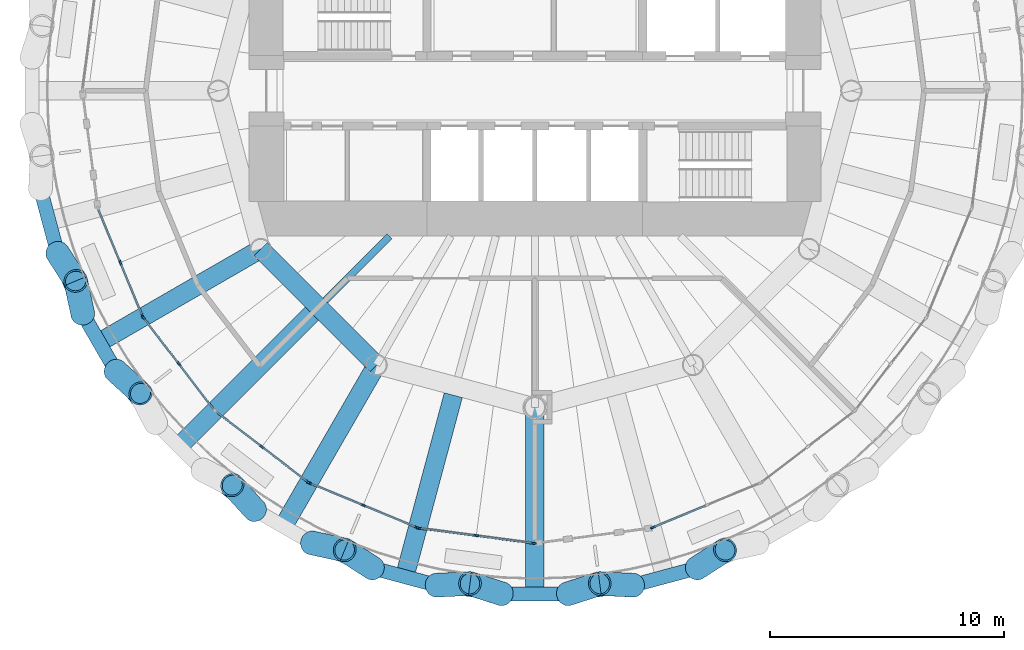
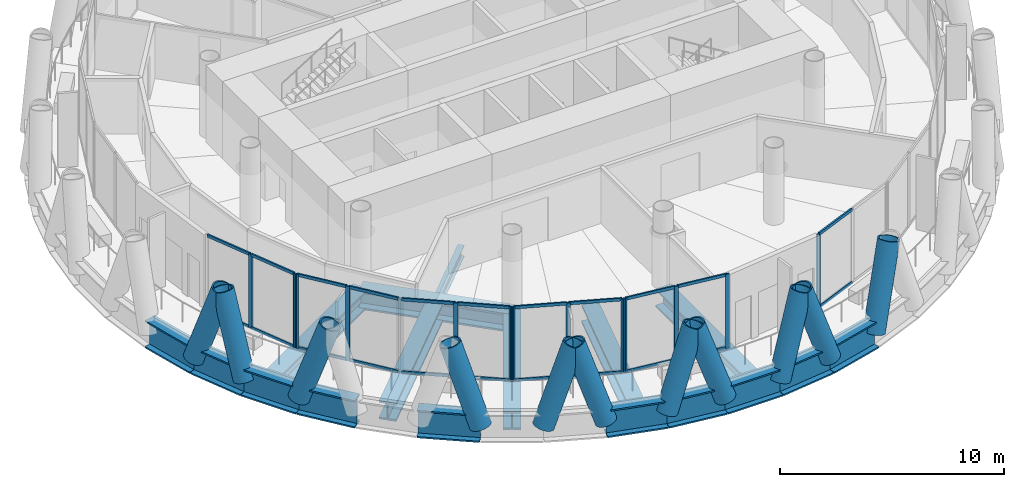
# One storey, part 2 of 15: 46 members, 17 beams, 6 elements without a shape of their own.
"""IFC4 building model written with IfcOpenShell, lengths in metres."""

from ifc_helpers import new_model, si_unit, direction, frame, origin, origin_2d, place, context, subcontext, project, spatial, rectangle, hollow_circle, i_section, extrude, material, material_profile, profile_set, type_object, element, aggregate, save


model = new_model("IFC4")

# Units and contexts
model_context = context("Model", 3, precision=1e-05, world=origin(), true_north=direction((0.0, 1.0)))
body_context = subcontext(model_context, "Body", "Model", "MODEL_VIEW")
ifc_project = project(units=[si_unit("LENGTHUNIT", "METRE"), si_unit("AREAUNIT", "SQUARE_METRE"), si_unit("VOLUMEUNIT", "CUBIC_METRE"), si_unit("PLANEANGLEUNIT", "RADIAN"), si_unit("MASSUNIT", "GRAM", prefix="KILO")], contexts=[model_context])

# Site, building, storey
site_placement = place(None, origin())
site = spatial("IfcSite", under=ifc_project, at=site_placement, CompositionType="ELEMENT")
building_placement = place(site_placement, origin())
building = spatial("IfcBuilding", under=site, at=building_placement, Name="Qaws Media Tower", CompositionType="ELEMENT")
storey_placement = place(building_placement, frame((0.0, 0.0, 265.39990234375)))
storey = spatial("IfcBuildingStorey", under=building, at=storey_placement, Name="L61", CompositionType="ELEMENT", Elevation=265.39990234375)

# Curtain wall, members
ifc_material_1 = material(Name="Aluminium and clear glass", Category="aluminium")
curtain_wall_type = type_object("IfcCurtainWallType", Name="Unitised curtain wall CW-D", PredefinedType="NOTDEFINED", material=ifc_material_1)
curtain_wall_1_placement = place(storey_placement, origin())
curtain_wall_1 = element("IfcCurtainWall", 1, at=curtain_wall_1_placement, inside=storey, type_object=curtain_wall_type, Name="CWD curtain wall L61-14", PredefinedType="NOTDEFINED")
ifc_material_2 = material(Name="Aluminium mullion", Category="aluminium")
ifc_material_profile_1 = material_profile(ifc_material_2, rectangle(XDim=0.080078125, YDim=0.199951171875, at=origin_2d()), Name="80x200")
ifc_profile_set_1 = profile_set([ifc_material_profile_1], Name="Aluminium mullion")
member_type_1 = type_object("IfcMemberType", Name="Curtain wall mullion 80x200", PredefinedType="MULLION", material=ifc_profile_set_1)
member_1_placement = place(storey_placement, frame((42.32177734375, 42.677490234375, 0.0), z_axis=(0.0, 0.0, 1.0), x_axis=(0.923879530855, 0.382683436364, 0.0)))
member_1 = element("IfcMember", 2, at=member_1_placement, type_object=member_type_1, Name="CWD mullion 2", PredefinedType="MULLION", context=body_context, shape_type="SweptSolid", body=[
    extrude(rectangle(XDim=0.080078125, YDim=0.199951171875, at=origin_2d()), origin(), (0.0, 0.0, 1.0), 4.0400390625),
])
member_2_placement = place(storey_placement, frame((43.2705078125, 40.386962890625, 0.0), z_axis=(0.0, 0.0, 1.0), x_axis=(0.923879530855, 0.382683436364, 0.0)))
member_2 = element("IfcMember", 3, at=member_2_placement, type_object=member_type_1, Name="CWD mullion 3", PredefinedType="MULLION", context=body_context, shape_type="SweptSolid", body=[
    extrude(rectangle(XDim=0.080078125, YDim=0.199951171875, at=origin_2d()), origin(), (0.0, 0.0, 1.0), 4.0400390625),
])

curtain_wall_2_placement = place(storey_placement, origin())
curtain_wall_2 = element("IfcCurtainWall", 4, at=curtain_wall_2_placement, inside=storey, type_object=curtain_wall_type, Name="CWD curtain wall L61-15", PredefinedType="NOTDEFINED")
member_3_placement = place(storey_placement, frame((43.31005859375, 40.318359375, 0.0), z_axis=(0.0, 0.0, 1.0), x_axis=(0.79335338924, 0.608761365217, 0.0)))
member_3 = element("IfcMember", 5, at=member_3_placement, type_object=member_type_1, Name="CWD mullion 1", PredefinedType="MULLION", context=body_context, shape_type="SweptSolid", body=[
    extrude(rectangle(XDim=0.080078125, YDim=0.199951171875, at=origin_2d()), origin(), (0.0, 0.0, 1.0), 4.0400390625),
])
member_4_placement = place(storey_placement, frame((44.8193359375, 38.351318359375, 0.0), z_axis=(0.0, 0.0, 1.0), x_axis=(0.79335338924, 0.608761365217, 0.0)))
member_4 = element("IfcMember", 6, at=member_4_placement, type_object=member_type_1, Name="CWD mullion 2", PredefinedType="MULLION", context=body_context, shape_type="SweptSolid", body=[
    extrude(rectangle(XDim=0.080078125, YDim=0.199951171875, at=origin_2d()), origin(), (0.0, 0.0, 1.0), 4.0400390625),
])

curtain_wall_3_placement = place(storey_placement, origin())
curtain_wall_3 = element("IfcCurtainWall", 7, at=curtain_wall_3_placement, inside=storey, type_object=curtain_wall_type, Name="CWD curtain wall L61-16", PredefinedType="NOTDEFINED")
member_5_placement = place(storey_placement, frame((48.351318359375, 34.8193359375, 0.0), z_axis=(0.0, 0.0, 1.0), x_axis=(0.608761365217, 0.79335338924, 0.0)))
member_5 = element("IfcMember", 8, at=member_5_placement, type_object=member_type_1, Name="CWD mullion 2", PredefinedType="MULLION", context=body_context, shape_type="SweptSolid", body=[
    extrude(rectangle(XDim=0.080078125, YDim=0.199951171875, at=origin_2d()), origin(), (0.0, 0.0, 1.0), 4.0400390625),
])
member_6_placement = place(storey_placement, frame((50.318359375, 33.31005859375, 0.0), z_axis=(0.0, 0.0, 1.0), x_axis=(0.608761365217, 0.79335338924, 0.0)))
member_6 = element("IfcMember", 9, at=member_6_placement, type_object=member_type_1, Name="CWD mullion 3", PredefinedType="MULLION", context=body_context, shape_type="SweptSolid", body=[
    extrude(rectangle(XDim=0.080078125, YDim=0.199951171875, at=origin_2d()), origin(), (0.0, 0.0, 1.0), 4.0400390625),
])

curtain_wall_4_placement = place(storey_placement, origin())
curtain_wall_4 = element("IfcCurtainWall", 10, at=curtain_wall_4_placement, inside=storey, type_object=curtain_wall_type, Name="CWD curtain wall L61-17", PredefinedType="NOTDEFINED")
member_7_placement = place(storey_placement, frame((50.386962890625, 33.2705078125, 0.0), z_axis=(0.0, 0.0, 1.0), x_axis=(0.382683436364, 0.923879530855, 0.0)))
member_7 = element("IfcMember", 11, at=member_7_placement, type_object=member_type_1, Name="CWD mullion 1", PredefinedType="MULLION", context=body_context, shape_type="SweptSolid", body=[
    extrude(rectangle(XDim=0.080078125, YDim=0.199951171875, at=origin_2d()), origin(), (0.0, 0.0, 1.0), 4.0400390625),
])
member_8_placement = place(storey_placement, frame((52.677490234375, 32.32177734375, 0.0), z_axis=(0.0, 0.0, 1.0), x_axis=(0.382683436364, 0.923879530855, 0.0)))
member_8 = element("IfcMember", 12, at=member_8_placement, type_object=member_type_1, Name="CWD mullion 2", PredefinedType="MULLION", context=body_context, shape_type="SweptSolid", body=[
    extrude(rectangle(XDim=0.080078125, YDim=0.199951171875, at=origin_2d()), origin(), (0.0, 0.0, 1.0), 4.0400390625),
])
member_9_placement = place(storey_placement, frame((54.9677734375, 31.373046875, 0.0), z_axis=(0.0, 0.0, 1.0), x_axis=(0.382683436364, 0.923879530855, 0.0)))
member_9 = element("IfcMember", 13, at=member_9_placement, type_object=member_type_1, Name="CWD mullion 3", PredefinedType="MULLION", context=body_context, shape_type="SweptSolid", body=[
    extrude(rectangle(XDim=0.080078125, YDim=0.199951171875, at=origin_2d()), origin(), (0.0, 0.0, 1.0), 4.0400390625),
])

curtain_wall_5_placement = place(storey_placement, origin())
curtain_wall_5 = element("IfcCurtainWall", 14, at=curtain_wall_5_placement, inside=storey, type_object=curtain_wall_type, Name="CWD curtain wall L61-18", PredefinedType="NOTDEFINED")
member_10_placement = place(storey_placement, frame((55.04443359375, 31.352294921875, 0.0), z_axis=(0.0, 0.0, 1.0), x_axis=(0.130526268479, 0.991444851334, 0.0)))
member_10 = element("IfcMember", 15, at=member_10_placement, type_object=member_type_1, Name="CWD mullion 1", PredefinedType="MULLION", context=body_context, shape_type="SweptSolid", body=[
    extrude(rectangle(XDim=0.080078125, YDim=0.199951171875, at=origin_2d()), origin(), (0.0, 0.0, 1.0), 4.0400390625),
])
member_11_placement = place(storey_placement, frame((57.50244140625, 31.02880859375, 0.0), z_axis=(0.0, 0.0, 1.0), x_axis=(0.130526268479, 0.991444851334, 0.0)))
member_11 = element("IfcMember", 16, at=member_11_placement, type_object=member_type_1, Name="CWD mullion 2", PredefinedType="MULLION", context=body_context, shape_type="SweptSolid", body=[
    extrude(rectangle(XDim=0.080078125, YDim=0.199951171875, at=origin_2d()), origin(), (0.0, 0.0, 1.0), 4.0400390625),
])
member_12_placement = place(storey_placement, frame((59.96044921875, 30.705322265625, 0.0), z_axis=(0.0, 0.0, 1.0), x_axis=(0.130526268479, 0.991444851334, 0.0)))
member_12 = element("IfcMember", 17, at=member_12_placement, type_object=member_type_1, Name="CWD mullion 3", PredefinedType="MULLION", context=body_context, shape_type="SweptSolid", body=[
    extrude(rectangle(XDim=0.080078125, YDim=0.199951171875, at=origin_2d()), origin(), (0.0, 0.0, 1.0), 4.0400390625),
])

# Curtain wall, member
curtain_wall_6_placement = place(storey_placement, origin())
curtain_wall_6 = element("IfcCurtainWall", 18, at=curtain_wall_6_placement, inside=storey, type_object=curtain_wall_type, Name="CWD curtain wall L61-20", PredefinedType="NOTDEFINED")
member_13_placement = place(storey_placement, frame((65.0322265625, 31.373046875, 0.0), z_axis=(0.0, 0.0, 1.0), x_axis=(-0.382683436364, 0.923879530855, 0.0)))
member_13 = element("IfcMember", 19, at=member_13_placement, type_object=member_type_1, Name="CWD mullion 1", PredefinedType="MULLION", context=body_context, shape_type="SweptSolid", body=[
    extrude(rectangle(XDim=0.080078125, YDim=0.199951171875, at=origin_2d()), origin(), (0.0, 0.0, 1.0), 4.0400390625),
])

# Member
ifc_material_3 = material(Name="Aluminium transom", Category="aluminium")
ifc_material_profile_2 = material_profile(ifc_material_3, rectangle(XDim=0.080078125, YDim=0.159912109375, at=origin_2d()), Name="80x160")
ifc_profile_set_2 = profile_set([ifc_material_profile_2], Name="Aluminium transom")
member_type_2 = type_object("IfcMemberType", Name="Curtain wall transom 80x160", PredefinedType="USERDEFINED", material=ifc_profile_set_2)
member_14_placement = place(storey_placement, frame((41.38818359375, 44.930908203125, 0.0400390625), z_axis=(0.382714272026, -0.923866757703, 0.0), x_axis=(0.923866757703, 0.382714272026, 0.0)))
member_14 = element("IfcMember", 20, at=member_14_placement, type_object=member_type_2, Name="CWD transom 1.1", ObjectType="TRANSOM", PredefinedType="USERDEFINED", context=body_context, shape_type="SweptSolid", body=[
    extrude(rectangle(XDim=0.080078125, YDim=0.159912109375, at=origin_2d()), origin(), (0.0, 0.0, 1.0), 2.399169921875),
])

member_15_placement = place(storey_placement, frame((41.38818359375, 44.930908203125, 4.0), z_axis=(0.382714272026, -0.923866757703, 0.0), x_axis=(0.923866757703, 0.382714272026, 0.0)))
member_15 = element("IfcMember", 21, at=member_15_placement, type_object=member_type_2, Name="CWD transom 1.2", ObjectType="TRANSOM", PredefinedType="USERDEFINED", context=body_context, shape_type="SweptSolid", body=[
    extrude(rectangle(XDim=0.080078125, YDim=0.159912109375, at=origin_2d()), origin(), (0.0, 0.0, 1.0), 2.399169921875),
])

member_16_placement = place(storey_placement, frame((42.3369140625, 42.640380859375, 0.0400390625), z_axis=(0.382714272026, -0.923866757703, 0.0), x_axis=(0.923866757703, 0.382714272026, 0.0)))
member_16 = element("IfcMember", 22, at=member_16_placement, type_object=member_type_2, Name="CWD transom 2.1", ObjectType="TRANSOM", PredefinedType="USERDEFINED", context=body_context, shape_type="SweptSolid", body=[
    extrude(rectangle(XDim=0.080078125, YDim=0.159912109375, at=origin_2d()), origin(), (0.0, 0.0, 1.0), 2.399169921875),
])

member_17_placement = place(storey_placement, frame((42.3369140625, 42.640380859375, 4.0), z_axis=(0.382714272026, -0.923866757703, 0.0), x_axis=(0.923866757703, 0.382714272026, 0.0)))
member_17 = element("IfcMember", 23, at=member_17_placement, type_object=member_type_2, Name="CWD transom 2.2", ObjectType="TRANSOM", PredefinedType="USERDEFINED", context=body_context, shape_type="SweptSolid", body=[
    extrude(rectangle(XDim=0.080078125, YDim=0.159912109375, at=origin_2d()), origin(), (0.0, 0.0, 1.0), 2.399169921875),
])

aggregate(curtain_wall_1, [member_1, member_2, member_14, member_15, member_16, member_17])

member_18_placement = place(storey_placement, frame((43.33447265625, 40.28662109375, 0.0400390625), z_axis=(0.608707082525, -0.793395038858, 0.0), x_axis=(0.793395038858, 0.608707082525, 0.0)))
member_18 = element("IfcMember", 24, at=member_18_placement, type_object=member_type_2, Name="CWD transom 1.1", ObjectType="TRANSOM", PredefinedType="USERDEFINED", context=body_context, shape_type="SweptSolid", body=[
    extrude(rectangle(XDim=0.080078125, YDim=0.159912109375, at=origin_2d()), origin(), (0.0, 0.0, 1.0), 2.399169921875),
])

member_19_placement = place(storey_placement, frame((43.33447265625, 40.28662109375, 4.0), z_axis=(0.608707082525, -0.793395038858, 0.0), x_axis=(0.793395038858, 0.608707082525, 0.0)))
member_19 = element("IfcMember", 25, at=member_19_placement, type_object=member_type_2, Name="CWD transom 1.2", ObjectType="TRANSOM", PredefinedType="USERDEFINED", context=body_context, shape_type="SweptSolid", body=[
    extrude(rectangle(XDim=0.080078125, YDim=0.159912109375, at=origin_2d()), origin(), (0.0, 0.0, 1.0), 2.399169921875),
])

member_20_placement = place(storey_placement, frame((44.843505859375, 38.319580078125, 0.0400390625), z_axis=(0.608820274454, -0.793308183126, 0.0), x_axis=(0.793308183126, 0.608820274454, 0.0)))
member_20 = element("IfcMember", 26, at=member_20_placement, type_object=member_type_2, Name="CWD transom 2.1", ObjectType="TRANSOM", PredefinedType="USERDEFINED", context=body_context, shape_type="SweptSolid", body=[
    extrude(rectangle(XDim=0.080078125, YDim=0.159912109375, at=origin_2d()), origin(), (0.0, 0.0, 1.0), 2.399169921875),
])

member_21_placement = place(storey_placement, frame((44.843505859375, 38.319580078125, 4.0), z_axis=(0.608820274454, -0.793308183126, 0.0), x_axis=(0.793308183126, 0.608820274454, 0.0)))
member_21 = element("IfcMember", 27, at=member_21_placement, type_object=member_type_2, Name="CWD transom 2.2", ObjectType="TRANSOM", PredefinedType="USERDEFINED", context=body_context, shape_type="SweptSolid", body=[
    extrude(rectangle(XDim=0.080078125, YDim=0.159912109375, at=origin_2d()), origin(), (0.0, 0.0, 1.0), 2.399169921875),
])

aggregate(curtain_wall_2, [member_3, member_4, member_18, member_19, member_20, member_21])

member_22_placement = place(storey_placement, frame((46.416259765625, 36.30419921875, 0.0400390625), z_axis=(0.793308183126, -0.608820274454, 0.0), x_axis=(0.608820274454, 0.793308183126, 0.0)))
member_22 = element("IfcMember", 28, at=member_22_placement, type_object=member_type_2, Name="CWD transom 1.1", ObjectType="TRANSOM", PredefinedType="USERDEFINED", context=body_context, shape_type="SweptSolid", body=[
    extrude(rectangle(XDim=0.080078125, YDim=0.159912109375, at=origin_2d()), origin(), (0.0, 0.0, 1.0), 2.399169921875),
])

member_23_placement = place(storey_placement, frame((46.416259765625, 36.30419921875, 4.0), z_axis=(0.793308183126, -0.608820274454, 0.0), x_axis=(0.608820274454, 0.793308183126, 0.0)))
member_23 = element("IfcMember", 29, at=member_23_placement, type_object=member_type_2, Name="CWD transom 1.2", ObjectType="TRANSOM", PredefinedType="USERDEFINED", context=body_context, shape_type="SweptSolid", body=[
    extrude(rectangle(XDim=0.080078125, YDim=0.159912109375, at=origin_2d()), origin(), (0.0, 0.0, 1.0), 2.399169921875),
])

member_24_placement = place(storey_placement, frame((48.383056640625, 34.794921875, 0.0400390625), z_axis=(0.793395038858, -0.608707082525, 0.0), x_axis=(0.608707082525, 0.793395038858, 0.0)))
member_24 = element("IfcMember", 30, at=member_24_placement, type_object=member_type_2, Name="CWD transom 2.1", ObjectType="TRANSOM", PredefinedType="USERDEFINED", context=body_context, shape_type="SweptSolid", body=[
    extrude(rectangle(XDim=0.080078125, YDim=0.159912109375, at=origin_2d()), origin(), (0.0, 0.0, 1.0), 2.399169921875),
])

member_25_placement = place(storey_placement, frame((48.383056640625, 34.794921875, 4.0), z_axis=(0.793395038858, -0.608707082525, 0.0), x_axis=(0.608707082525, 0.793395038858, 0.0)))
member_25 = element("IfcMember", 31, at=member_25_placement, type_object=member_type_2, Name="CWD transom 2.2", ObjectType="TRANSOM", PredefinedType="USERDEFINED", context=body_context, shape_type="SweptSolid", body=[
    extrude(rectangle(XDim=0.080078125, YDim=0.159912109375, at=origin_2d()), origin(), (0.0, 0.0, 1.0), 2.399169921875),
])

aggregate(curtain_wall_3, [member_5, member_6, member_22, member_23, member_24, member_25])

member_26_placement = place(storey_placement, frame((50.423828125, 33.255126953125, 0.0400390625), z_axis=(0.923866757703, -0.382714272026, 0.0), x_axis=(0.382714272026, 0.923866757703, 0.0)))
member_26 = element("IfcMember", 32, at=member_26_placement, type_object=member_type_2, Name="CWD transom 1.1", ObjectType="TRANSOM", PredefinedType="USERDEFINED", context=body_context, shape_type="SweptSolid", body=[
    extrude(rectangle(XDim=0.080078125, YDim=0.159912109375, at=origin_2d()), origin(), (0.0, 0.0, 1.0), 2.399169921875),
])

member_27_placement = place(storey_placement, frame((50.423828125, 33.255126953125, 4.0), z_axis=(0.923866757703, -0.382714272026, 0.0), x_axis=(0.382714272026, 0.923866757703, 0.0)))
member_27 = element("IfcMember", 33, at=member_27_placement, type_object=member_type_2, Name="CWD transom 1.2", ObjectType="TRANSOM", PredefinedType="USERDEFINED", context=body_context, shape_type="SweptSolid", body=[
    extrude(rectangle(XDim=0.080078125, YDim=0.159912109375, at=origin_2d()), origin(), (0.0, 0.0, 1.0), 2.399169921875),
])

member_28_placement = place(storey_placement, frame((52.71435546875, 32.306396484375, 0.0400390625), z_axis=(0.923866757703, -0.382714272026, 0.0), x_axis=(0.382714272026, 0.923866757703, 0.0)))
member_28 = element("IfcMember", 34, at=member_28_placement, type_object=member_type_2, Name="CWD transom 2.1", ObjectType="TRANSOM", PredefinedType="USERDEFINED", context=body_context, shape_type="SweptSolid", body=[
    extrude(rectangle(XDim=0.080078125, YDim=0.159912109375, at=origin_2d()), origin(), (0.0, 0.0, 1.0), 2.399169921875),
])

member_29_placement = place(storey_placement, frame((52.71435546875, 32.306396484375, 4.0), z_axis=(0.923866757703, -0.382714272026, 0.0), x_axis=(0.382714272026, 0.923866757703, 0.0)))
member_29 = element("IfcMember", 35, at=member_29_placement, type_object=member_type_2, Name="CWD transom 2.2", ObjectType="TRANSOM", PredefinedType="USERDEFINED", context=body_context, shape_type="SweptSolid", body=[
    extrude(rectangle(XDim=0.080078125, YDim=0.159912109375, at=origin_2d()), origin(), (0.0, 0.0, 1.0), 2.399169921875),
])

aggregate(curtain_wall_4, [member_7, member_8, member_9, member_26, member_27, member_28, member_29])

member_30_placement = place(storey_placement, frame((55.084228515625, 31.34716796875, 0.0400390625), z_axis=(0.99143904759, -0.130570344699, 0.0), x_axis=(0.130570344699, 0.99143904759, 0.0)))
member_30 = element("IfcMember", 36, at=member_30_placement, type_object=member_type_2, Name="CWD transom 1.1", ObjectType="TRANSOM", PredefinedType="USERDEFINED", context=body_context, shape_type="SweptSolid", body=[
    extrude(rectangle(XDim=0.080078125, YDim=0.159912109375, at=origin_2d()), origin(), (0.0, 0.0, 1.0), 2.39892578125),
])

member_31_placement = place(storey_placement, frame((55.084228515625, 31.34716796875, 4.0), z_axis=(0.99143904759, -0.130570344699, 0.0), x_axis=(0.130570344699, 0.99143904759, 0.0)))
member_31 = element("IfcMember", 37, at=member_31_placement, type_object=member_type_2, Name="CWD transom 1.2", ObjectType="TRANSOM", PredefinedType="USERDEFINED", context=body_context, shape_type="SweptSolid", body=[
    extrude(rectangle(XDim=0.080078125, YDim=0.159912109375, at=origin_2d()), origin(), (0.0, 0.0, 1.0), 2.39892578125),
])

member_32_placement = place(storey_placement, frame((57.5419921875, 31.023681640625, 0.0400390625), z_axis=(0.991440782357, -0.130557171689, 0.0), x_axis=(0.130557171689, 0.991440782357, 0.0)))
member_32 = element("IfcMember", 38, at=member_32_placement, type_object=member_type_2, Name="CWD transom 2.1", ObjectType="TRANSOM", PredefinedType="USERDEFINED", context=body_context, shape_type="SweptSolid", body=[
    extrude(rectangle(XDim=0.080078125, YDim=0.159912109375, at=origin_2d()), origin(), (0.0, 0.0, 1.0), 2.399169921875),
])

member_33_placement = place(storey_placement, frame((57.5419921875, 31.023681640625, 4.0), z_axis=(0.991440782357, -0.130557171689, 0.0), x_axis=(0.130557171689, 0.991440782357, 0.0)))
member_33 = element("IfcMember", 39, at=member_33_placement, type_object=member_type_2, Name="CWD transom 2.2", ObjectType="TRANSOM", PredefinedType="USERDEFINED", context=body_context, shape_type="SweptSolid", body=[
    extrude(rectangle(XDim=0.080078125, YDim=0.159912109375, at=origin_2d()), origin(), (0.0, 0.0, 1.0), 2.399169921875),
])

aggregate(curtain_wall_5, [member_10, member_11, member_12, member_30, member_31, member_32, member_33])

member_34_placement = place(storey_placement, frame((65.069091796875, 31.38818359375, 0.0400390625), z_axis=(0.923866757703, 0.382714272026, 0.0), x_axis=(-0.382714272026, 0.923866757703, 0.0)))
member_34 = element("IfcMember", 40, at=member_34_placement, type_object=member_type_2, Name="CWD transom 1.1", ObjectType="TRANSOM", PredefinedType="USERDEFINED", context=body_context, shape_type="SweptSolid", body=[
    extrude(rectangle(XDim=0.080078125, YDim=0.159912109375, at=origin_2d()), origin(), (0.0, 0.0, 1.0), 2.399169921875),
])

member_35_placement = place(storey_placement, frame((65.069091796875, 31.38818359375, 4.0), z_axis=(0.923866757703, 0.382714272026, 0.0), x_axis=(-0.382714272026, 0.923866757703, 0.0)))
member_35 = element("IfcMember", 41, at=member_35_placement, type_object=member_type_2, Name="CWD transom 1.2", ObjectType="TRANSOM", PredefinedType="USERDEFINED", context=body_context, shape_type="SweptSolid", body=[
    extrude(rectangle(XDim=0.080078125, YDim=0.159912109375, at=origin_2d()), origin(), (0.0, 0.0, 1.0), 2.399169921875),
])

aggregate(curtain_wall_6, [member_13, member_34, member_35])

# Members
ifc_material_4 = material(Name="Steel S460", Category="steel")
ifc_material_profile_3 = material_profile(ifc_material_4, hollow_circle(Radius=0.508056640625, WallThickness=0.070068359375, at=origin_2d()), Name="CHS 1016x70")
ifc_profile_set_3 = profile_set([ifc_material_profile_3], Name="Steel S460")
member_type_3 = type_object("IfcMemberType", Name="Diagrid member CHS 1016x70", PredefinedType="USERDEFINED", material=ifc_profile_set_3)
for number, where, z_axis, x_axis, name in (
    (42, (39.64111328125, 43.089111328125, -0.909912109375), (0.174175702835, -0.270921638249, 0.946712358887), (0.841161820397, 0.540783498183, 0.0), "DG3 diagrid L61 A14"),
    (43, (42.123291015625, 38.05517578125, -0.909912109375), (0.23839596915, -0.216603539837, 0.946704953205), (0.672468675167, 0.740125584559, 0.0), "DG3 diagrid L61 A15"),
):
    element("IfcMember", number, at=place(storey_placement, frame(where, z_axis=z_axis, x_axis=x_axis)), inside=storey, type_object=member_type_3, Name=name, ObjectType="DIAGRID", PredefinedType="USERDEFINED", context=body_context, shape_type="SweptSolid", body=[
        extrude(hollow_circle(Radius=0.508056640625, WallThickness=0.070068359375, at=origin_2d()), origin(), (0.0, 0.0, 1.0), 4.436279296875),
    ])
for number, where, z_axis, x_axis, name in (
    (44, (40.71728515625, 40.49072265625, -0.909912109375), (-0.068403482981, 0.314777089822, 0.946697600736), (-0.977193321259, -0.212351625581, 0.0), "DG3 diagrid L61 B15"),
    (45, (50.49072265625, 30.71728515625, -0.909912109375), (0.314777089822, -0.068403482981, 0.946697600736), (0.212351625581, 0.977193321259, 0.0), "DG3 diagrid L61 A17"),
):
    element("IfcMember", number, at=place(storey_placement, frame(where, z_axis=z_axis, x_axis=x_axis)), inside=storey, type_object=member_type_3, Name=name, ObjectType="DIAGRID", PredefinedType="USERDEFINED", context=body_context, shape_type="SweptSolid", body=[
        extrude(hollow_circle(Radius=0.508056640625, WallThickness=0.070068359375, at=origin_2d()), origin(), (0.0, 0.0, 1.0), 4.4365234375),
    ])
for number, where, z_axis, x_axis, name in (
    (46, (48.05517578125, 32.123291015625, -0.909912109375), (-0.216603539837, 0.23839596915, 0.946704953205), (-0.740125584559, -0.672468675167, 0.0), "DG3 diagrid L61 B17"),
    (47, (55.8056640625, 28.9130859375, -0.909912109375), (0.321715537287, 0.015408886493, 0.946710979806), (-0.047841154259, 0.998854956417, 0.0), "DG3 diagrid L61 A18"),
    (48, (53.089111328125, 29.64111328125, -0.909912109375), (-0.270921638249, 0.174175702835, 0.946712358887), (-0.540783498183, -0.841161820397, 0.0), "DG3 diagrid L61 B18"),
    (49, (61.40625, 28.546142578125, -0.909912109375), (0.306749483111, 0.0981224127, 0.946718937561), (-0.304670323318, 0.952457869981, 0.0), "DG3 diagrid L61 A19"),
    (50, (58.59375, 28.546142578125, -0.909912109375), (-0.306749483111, 0.0981224127, 0.946718937561), (-0.304670323318, -0.952457869981, 0.0), "DG3 diagrid L61 B19"),
    (51, (66.910888671875, 29.64111328125, -0.909912109375), (0.270921638249, 0.174175702835, 0.946712358887), (-0.540783498183, 0.841161820397, 0.0), "DG3 diagrid L61 A20"),
    (52, (64.1943359375, 28.9130859375, -0.909912109375), (-0.321715537287, 0.015408886493, 0.946710979806), (-0.047841154259, -0.998854956417, 0.0), "DG3 diagrid L61 B20"),
):
    element("IfcMember", number, at=place(storey_placement, frame(where, z_axis=z_axis, x_axis=x_axis)), inside=storey, type_object=member_type_3, Name=name, ObjectType="DIAGRID", PredefinedType="USERDEFINED", context=body_context, shape_type="SweptSolid", body=[
        extrude(hollow_circle(Radius=0.508056640625, WallThickness=0.070068359375, at=origin_2d()), origin(), (0.0, 0.0, 1.0), 4.436279296875),
    ])

# Beams
ifc_material_5 = material(Name="Steel S460", Category="steel")
ifc_material_profile_4 = material_profile(ifc_material_5, i_section(OverallWidth=0.60009765625, OverallDepth=1.5, WebThickness=0.030029296875, FlangeThickness=0.080078125, at=origin_2d()), Name="PG 1500x600")
ifc_profile_set_4 = profile_set([ifc_material_profile_4], Name="Steel S460")
beam_type_1 = type_object("IfcBeamType", Name="Edge ring beam PG 1500x600", PredefinedType="BEAM", material=ifc_profile_set_4)
for number, where, z_axis, x_axis, name in (
    (53, (38.9130859375, 45.8056640625, -0.909912109375), (0.258861917402, -0.965914337671, 0.0), (0.965914337671, 0.258861917402, 0.0), "RB5 edge ring beam L61-26"),
    (54, (39.64111328125, 43.089111328125, -0.909912109375), (0.382648241093, -0.923894108428, 0.0), (0.923894108428, 0.382648241093, 0.0), "RB5 edge ring beam L61-27"),
):
    element("IfcBeam", number, at=place(storey_placement, frame(where, z_axis=z_axis, x_axis=x_axis)), inside=storey, type_object=beam_type_1, Name=name, PredefinedType="BEAM", context=body_context, shape_type="SweptSolid", body=[
        extrude(i_section(OverallWidth=0.60009765625, OverallDepth=1.5, WebThickness=0.030029296875, FlangeThickness=0.080078125, at=origin_2d()), origin(), (0.0, 0.0, 1.0), 2.8125),
    ])
beam_1_placement = place(storey_placement, frame((40.71728515625, 40.49072265625, -0.909912109375), z_axis=(0.499957919771, -0.866049697453, 0.0), x_axis=(0.866049697453, 0.499957919771, 0.0)))
element("IfcBeam", 55, at=beam_1_placement, inside=storey, type_object=beam_type_1, Name="RB5 edge ring beam L61-28", PredefinedType="BEAM", context=body_context, shape_type="SweptSolid", body=[
    extrude(i_section(OverallWidth=0.60009765625, OverallDepth=1.5, WebThickness=0.030029296875, FlangeThickness=0.080078125, at=origin_2d()), origin(), (0.0, 0.0, 1.0), 2.812255859375),
])
for number, where, z_axis, x_axis, name in (
    (56, (42.123291015625, 38.05517578125, -0.909912109375), (0.60878321046, -0.793336626321, 0.0), (0.793336626321, 0.60878321046, 0.0), "RB5 edge ring beam L61-29"),
    (57, (45.823974609375, 33.83544921875, -0.909912109375), (0.793336626321, -0.60878321046, 0.0), (0.60878321046, 0.793336626321, 0.0), "RB5 edge ring beam L61-31"),
    (58, (53.089111328125, 29.64111328125, -0.909912109375), (0.965914337671, -0.258861917402, 0.0), (0.258861917402, 0.965914337671, 0.0), "RB5 edge ring beam L61-34"),
):
    element("IfcBeam", number, at=place(storey_placement, frame(where, z_axis=z_axis, x_axis=x_axis)), inside=storey, type_object=beam_type_1, Name=name, PredefinedType="BEAM", context=body_context, shape_type="SweptSolid", body=[
        extrude(i_section(OverallWidth=0.60009765625, OverallDepth=1.5, WebThickness=0.030029296875, FlangeThickness=0.080078125, at=origin_2d()), origin(), (0.0, 0.0, 1.0), 2.8125),
    ])
beam_2_placement = place(storey_placement, frame((55.8056640625, 28.9130859375, -0.909912109375), z_axis=(0.991450158087, -0.13048595338, 0.0), x_axis=(0.13048595338, 0.991450158087, 0.0)))
element("IfcBeam", 59, at=beam_2_placement, inside=storey, type_object=beam_type_1, Name="RB5 edge ring beam L61-35", PredefinedType="BEAM", context=body_context, shape_type="SweptSolid", body=[
    extrude(i_section(OverallWidth=0.60009765625, OverallDepth=1.5, WebThickness=0.030029296875, FlangeThickness=0.080078125, at=origin_2d()), origin(), (0.0, 0.0, 1.0), 2.81201171875),
])
beam_3_placement = place(storey_placement, frame((58.59375, 28.546142578125, -0.909912109375), z_axis=(1.0, 0.0, 0.0), x_axis=(0.0, 1.0, 0.0)))
element("IfcBeam", 60, at=beam_3_placement, inside=storey, type_object=beam_type_1, Name="RB5 edge ring beam L61-36", PredefinedType="BEAM", context=body_context, shape_type="SweptSolid", body=[
    extrude(i_section(OverallWidth=0.60009765625, OverallDepth=1.5, WebThickness=0.030029296875, FlangeThickness=0.080078125, at=origin_2d()), origin(), (0.0, 0.0, 1.0), 2.8125),
])
beam_4_placement = place(storey_placement, frame((61.40625, 28.546142578125, -0.909912109375), z_axis=(0.991450158087, 0.13048595338, 0.0), x_axis=(-0.13048595338, 0.991450158087, 0.0)))
element("IfcBeam", 61, at=beam_4_placement, inside=storey, type_object=beam_type_1, Name="RB5 edge ring beam L61-37", PredefinedType="BEAM", context=body_context, shape_type="SweptSolid", body=[
    extrude(i_section(OverallWidth=0.60009765625, OverallDepth=1.5, WebThickness=0.030029296875, FlangeThickness=0.080078125, at=origin_2d()), origin(), (0.0, 0.0, 1.0), 2.81201171875),
])
beam_5_placement = place(storey_placement, frame((64.1943359375, 28.9130859375, -0.909912109375), z_axis=(0.965914337671, 0.258861917402, 0.0), x_axis=(-0.258861917402, 0.965914337671, 0.0)))
element("IfcBeam", 62, at=beam_5_placement, inside=storey, type_object=beam_type_1, Name="RB5 edge ring beam L61-38", PredefinedType="BEAM", context=body_context, shape_type="SweptSolid", body=[
    extrude(i_section(OverallWidth=0.60009765625, OverallDepth=1.5, WebThickness=0.030029296875, FlangeThickness=0.080078125, at=origin_2d()), origin(), (0.0, 0.0, 1.0), 2.8125),
])
ifc_material_6 = material(Name="Steel S460", Category="steel")
ifc_material_profile_5 = material_profile(ifc_material_6, i_section(OverallWidth=0.800048828125, OverallDepth=1.0, WebThickness=0.0400390625, FlangeThickness=0.10009765625, at=origin_2d()), Name="PG 1000x800")
ifc_profile_set_5 = profile_set([ifc_material_profile_5], Name="Steel S460")
beam_type_2 = type_object("IfcBeamType", Name="Inner ring girder PG 1000x800", PredefinedType="BEAM", material=ifc_profile_set_5)
beam_6_placement = place(storey_placement, frame((48.30859375, 43.25, -0.659912109375), z_axis=(0.707106781187, -0.707106781187, 0.0), x_axis=(0.707106781187, 0.707106781187, 0.0)))
element("IfcBeam", 63, at=beam_6_placement, inside=storey, type_object=beam_type_2, Name="B3 inner ring beam L61 I08-I09", PredefinedType="BEAM", context=body_context, shape_type="SweptSolid", body=[
    extrude(i_section(OverallWidth=0.800048828125, OverallDepth=1.0, WebThickness=0.0400390625, FlangeThickness=0.10009765625, at=origin_2d()), origin(), (0.0, 0.0, 1.0), 6.98828125),
])
ifc_material_7 = material(Name="Steel S355", Category="steel")
ifc_material_profile_6 = material_profile(ifc_material_7, i_section(OverallWidth=0.304931640625, OverallDepth=0.6201171875, WebThickness=0.02099609375, FlangeThickness=0.0400390625, FilletRadius=0.027099609375, at=origin_2d()), Name="HE 600 M")
ifc_profile_set_6 = profile_set([ifc_material_profile_6], Name="Steel S355")
beam_type_3 = type_object("IfcBeamType", Name="Radial beam HE 600 M, core side", PredefinedType="BEAM", material=ifc_profile_set_6)
beam_7_placement = place(storey_placement, frame((53.800048828125, 43.800048828125, -0.469970703125), z_axis=(-0.707106781187, -0.707106781187, 0.0), x_axis=(0.707106781187, -0.707106781187, 0.0)))
element("IfcBeam", 64, at=beam_7_placement, inside=storey, type_object=beam_type_3, Name="B2 radial beam L61 16", PredefinedType="BEAM", context=body_context, shape_type="SweptSolid", body=[
    extrude(i_section(OverallWidth=0.304931640625, OverallDepth=0.6201171875, WebThickness=0.02099609375, FlangeThickness=0.0400390625, FilletRadius=0.027099609375, at=origin_2d()), origin(), (0.0, 0.0, 1.0), 3.871826171875),
])
ifc_material_8 = material(Name="Steel S460", Category="steel")
ifc_material_profile_7 = material_profile(ifc_material_8, i_section(OverallWidth=0.800048828125, OverallDepth=1.0, WebThickness=0.0400390625, FlangeThickness=0.10009765625, at=origin_2d()), Name="PG 1000x800")
ifc_profile_set_7 = profile_set([ifc_material_profile_7], Name="Steel S460")
beam_type_4 = type_object("IfcBeamType", Name="Radial girder PG 1000x800", PredefinedType="BEAM", material=ifc_profile_set_7)
beam_8_placement = place(storey_placement, frame((48.30859375, 43.25, -0.659912109375), z_axis=(-0.866016903906, -0.500014721933, 0.0), x_axis=(0.500014721933, -0.866016903906, 0.0)))
element("IfcBeam", 65, at=beam_8_placement, inside=storey, type_object=beam_type_4, Name="B1 radial beam L61 15", PredefinedType="BEAM", context=body_context, shape_type="SweptSolid", body=[
    extrude(i_section(OverallWidth=0.800048828125, OverallDepth=1.0, WebThickness=0.0400390625, FlangeThickness=0.10009765625, at=origin_2d()), origin(), (0.0, 0.0, 1.0), 7.953857421875),
])
beam_9_placement = place(storey_placement, frame((50.49658203125, 40.49658203125, -0.659912109375), z_axis=(-0.707106781187, -0.707106781187, 0.0), x_axis=(0.707106781187, -0.707106781187, 0.0)))
element("IfcBeam", 66, at=beam_9_placement, inside=storey, type_object=beam_type_4, Name="B1 radial beam L61 16", PredefinedType="BEAM", context=body_context, shape_type="SweptSolid", body=[
    extrude(i_section(OverallWidth=0.800048828125, OverallDepth=1.0, WebThickness=0.0400390625, FlangeThickness=0.10009765625, at=origin_2d()), origin(), (0.0, 0.0, 1.0), 8.013916015625),
])
beam_10_placement = place(storey_placement, frame((53.25, 38.30859375, -0.659912109375), z_axis=(-0.500014721933, -0.866016903906, 0.0), x_axis=(0.866016903906, -0.500014721933, 0.0)))
element("IfcBeam", 67, at=beam_10_placement, inside=storey, type_object=beam_type_4, Name="B1 radial beam L61 17", PredefinedType="BEAM", context=body_context, shape_type="SweptSolid", body=[
    extrude(i_section(OverallWidth=0.800048828125, OverallDepth=1.0, WebThickness=0.0400390625, FlangeThickness=0.10009765625, at=origin_2d()), origin(), (0.0, 0.0, 1.0), 7.953857421875),
])
beam_11_placement = place(storey_placement, frame((56.521484375, 37.01806640625, -0.659912109375), z_axis=(-0.258822880994, -0.965924798457, 0.0), x_axis=(0.965924798457, -0.258822880994, 0.0)))
element("IfcBeam", 68, at=beam_11_placement, inside=storey, type_object=beam_type_4, Name="B1 radial beam L61 18", PredefinedType="BEAM", context=body_context, shape_type="SweptSolid", body=[
    extrude(i_section(OverallWidth=0.800048828125, OverallDepth=1.0, WebThickness=0.0400390625, FlangeThickness=0.10009765625, at=origin_2d()), origin(), (0.0, 0.0, 1.0), 8.01416015625),
])
beam_12_placement = place(storey_placement, frame((60.0, 36.5, -0.659912109375), z_axis=(0.0, -1.0, 0.0), x_axis=(1.0, 0.0, 0.0)))
element("IfcBeam", 69, at=beam_12_placement, inside=storey, type_object=beam_type_4, Name="B1 radial beam L61 19", PredefinedType="BEAM", context=body_context, shape_type="SweptSolid", body=[
    extrude(i_section(OverallWidth=0.800048828125, OverallDepth=1.0, WebThickness=0.0400390625, FlangeThickness=0.10009765625, at=origin_2d()), origin(), (0.0, 0.0, 1.0), 7.953857421875),
])

save(model, "model.ifc")
